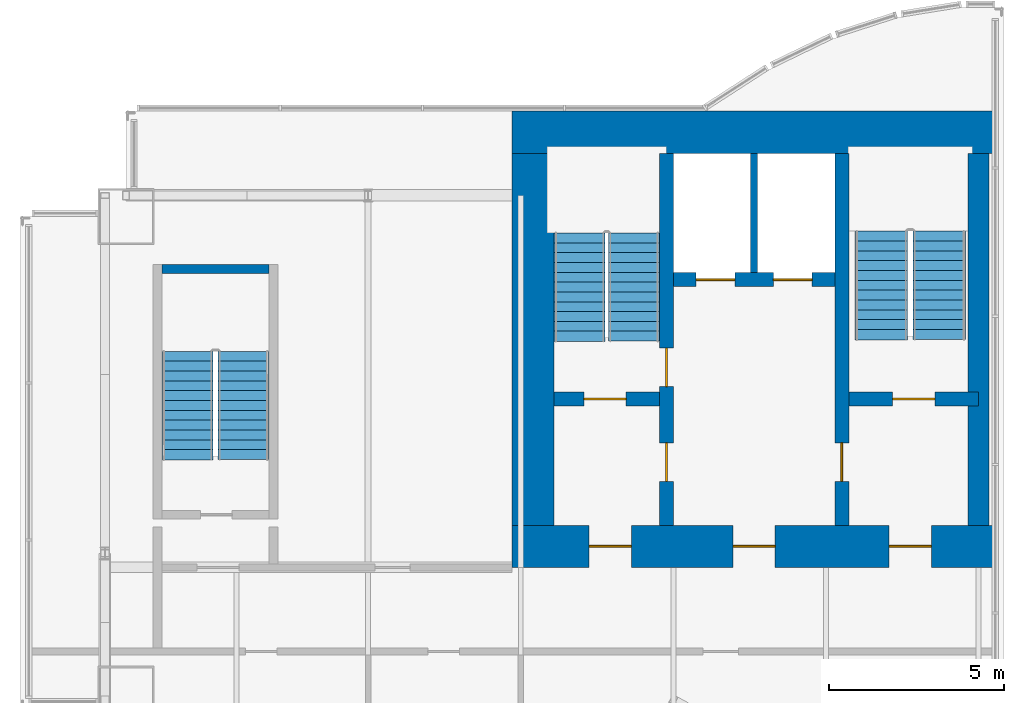
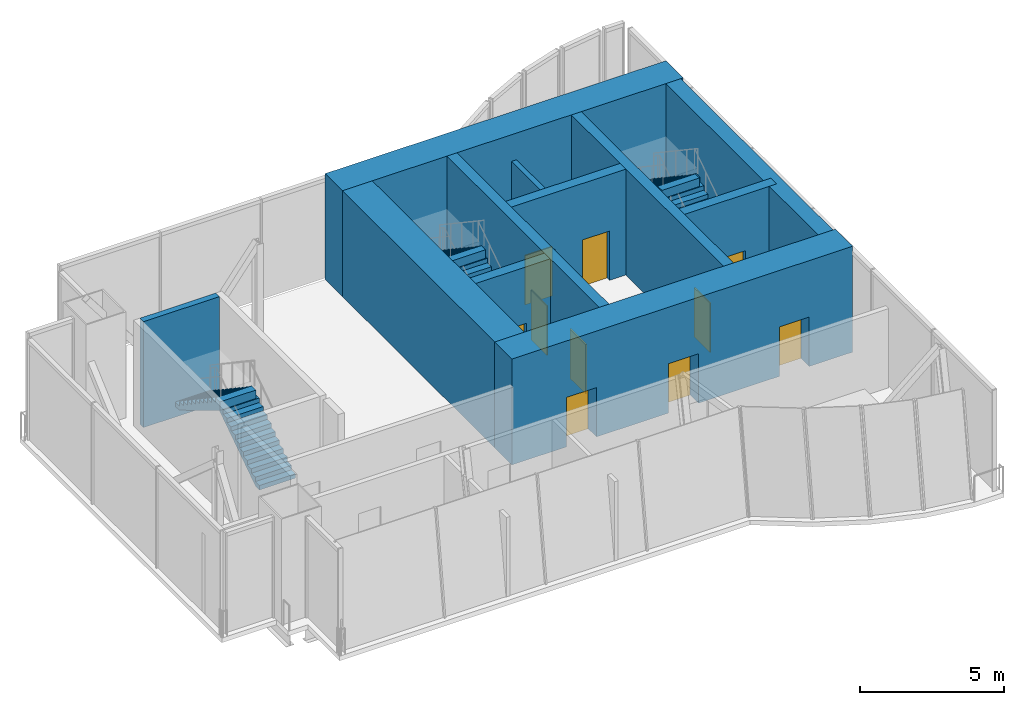
# One storey, part 4 of 6: 11 walls, 10 doors, 6 stair flights, 10 openings, 3 elements without a shape of their own.
"""IFC4 building model written with IfcOpenShell, lengths in metres."""

from ifc_helpers import new_model, si_unit, direction, frame, frame_2d, origin, place, context, subcontext, project, spatial, polyline, rectangle, outline, extrude, material, layer, layer_set, type_object, element, fill, aggregate, save


model = new_model("IFC4")

# Units and contexts
model_context = context("Model", 3, precision=1e-05, world=origin(), true_north=direction((0.0, 1.0)))
body_context = subcontext(model_context, "Body", "Model", "MODEL_VIEW")
ifc_project = project(units=[si_unit("LENGTHUNIT", "METRE"), si_unit("AREAUNIT", "SQUARE_METRE"), si_unit("VOLUMEUNIT", "CUBIC_METRE"), si_unit("PLANEANGLEUNIT", "RADIAN"), si_unit("MASSUNIT", "GRAM", prefix="KILO")], contexts=[model_context])

# Site, building, storey
site_placement = place(None, origin())
site = spatial("IfcSite", under=ifc_project, at=site_placement, CompositionType="ELEMENT")
building_placement = place(site_placement, origin())
building = spatial("IfcBuilding", under=site, at=building_placement, Name="Bicima Exchange Tower", CompositionType="ELEMENT")
storey_placement = place(building_placement, frame((0.0, 0.0, 370.39990234375)))
storey = spatial("IfcBuildingStorey", under=building, at=storey_placement, Name="L83", CompositionType="ELEMENT", Elevation=370.39990234375)

# Walls
ifc_material_1 = material(Name="Gypsum board partition")
ifc_layer_1 = layer(ifc_material_1, 0.199951171875)
ifc_layer_set_1 = layer_set([ifc_layer_1], Name="Gypsum board partition")
wall_type_1 = type_object("IfcWallType", Name="Fire-rated gypsum partition 200 EI120", PredefinedType="PARTITIONING", material=ifc_layer_set_1)
wall_1_placement = place(storey_placement, frame((-15.10009765625, -4.60009765625, 0.0), z_axis=(0.0, 0.0, 1.0), x_axis=(0.0, 1.0, 0.0)))
element("IfcWall", 1, at=wall_1_placement, inside=storey, type_object=wall_type_1, Name="partition wall 5", PredefinedType="PARTITIONING", context=body_context, shape_type="SweptSolid", body=[
    extrude(rectangle(XDim=3.400146484375, YDim=0.199951171875, at=frame_2d((1.7001953125, 0.0))), origin(), (0.0, 0.0, 1.0), 3.368408203125),
])
ifc_material_2 = material(Name="Concrete C40/50", Category="concrete")
ifc_layer_2 = layer(ifc_material_2, 1.199951171875)
ifc_layer_set_2 = layer_set([ifc_layer_2], Name="Concrete C40/50")
wall_type_2 = type_object("IfcWallType", Name="RC core wall 1200 C40/50", PredefinedType="SHEAR", material=ifc_layer_set_2)
wall_2_placement = place(storey_placement, frame((-22.0, -0.60009765625, 0.0), z_axis=(0.0, 0.0, 1.0), x_axis=(1.0, 0.0, 0.0)))
element("IfcWall", 2, at=wall_2_placement, inside=storey, type_object=wall_type_2, Name="Core wall north-W", PredefinedType="SHEAR", context=body_context, shape_type="SweptSolid", body=[
    extrude(rectangle(XDim=13.699951171875, YDim=1.199951171875, at=frame_2d((6.85009765625, 0.0))), origin(), (0.0, 0.0, 1.0), 4.5),
])

# Wall, openings, doors
wall_3_placement = place(storey_placement, frame((-22.0, -12.39990234375, 0.0), z_axis=(0.0, 0.0, 1.0), x_axis=(1.0, 0.0, 0.0)))
wall_3 = element("IfcWall", 3, at=wall_3_placement, inside=storey, type_object=wall_type_2, Name="Core wall south-W", PredefinedType="SHEAR", context=body_context, shape_type="SweptSolid", body=[
    extrude(rectangle(XDim=13.699951171875, YDim=1.199951171875, at=frame_2d((6.85009765625, 0.0))), origin(), (0.0, 0.0, 1.0), 4.5),
])
opening_1_placement = place(wall_3_placement, frame((2.199951171875, 0.0, 0.0)))
opening_1 = element("IfcOpeningElement", 4, at=opening_1_placement, cuts=wall_3, Name="Opening L83-C06", PredefinedType="OPENING", context=body_context, shape_type="SweptSolid", body=[
    extrude(rectangle(XDim=1.199951171875, YDim=2.10009765625, at=frame_2d((0.60009765625, 1.050048828125))), frame((0.0, 0.61181640625, 0.0), z_axis=(0.0, -1.0, 0.0), x_axis=(1.0, 0.0, 0.0)), (0.0, 0.0, 1.0), 1.223876953125),
])
opening_2_placement = place(wall_3_placement, frame((10.75, 0.0, 0.0)))
opening_2 = element("IfcOpeningElement", 5, at=opening_2_placement, cuts=wall_3, Name="Opening L83-C07", PredefinedType="OPENING", context=body_context, shape_type="SweptSolid", body=[
    extrude(rectangle(XDim=1.199951171875, YDim=2.10009765625, at=frame_2d((0.60009765625, 1.050048828125))), frame((0.0, 0.61181640625, 0.0), z_axis=(0.0, -1.0, 0.0), x_axis=(1.0, 0.0, 0.0)), (0.0, 0.0, 1.0), 1.223876953125),
])
opening_3_placement = place(wall_3_placement, frame((6.300048828125, 0.0, 0.0)))
opening_3 = element("IfcOpeningElement", 6, at=opening_3_placement, cuts=wall_3, Name="Opening L83-C08", PredefinedType="OPENING", context=body_context, shape_type="SweptSolid", body=[
    extrude(rectangle(XDim=1.199951171875, YDim=2.10009765625, at=frame_2d((0.60009765625, 1.050048828125))), frame((0.0, 0.61181640625, 0.0), z_axis=(0.0, -1.0, 0.0), x_axis=(1.0, 0.0, 0.0)), (0.0, 0.0, 1.0), 1.223876953125),
])
ifc_material_3 = material(Name="Steel fire door leaf", Category="steel")
door_type_1 = type_object("IfcDoorType", Name="Door 1200 swing FD60S", OperationType="SINGLE_SWING_LEFT", PredefinedType="DOOR", material=ifc_material_3)
door_1_placement = place(opening_1_placement, frame((1.199951171875, 0.0, 0.0), z_axis=(0.0, 0.0, 1.0), x_axis=(-1.0, 0.0, 0.0)))
door_1 = element("IfcDoor", 7, at=door_1_placement, inside=storey, type_object=door_type_1, Name="Core door", OperationType="SINGLE_SWING_RIGHT", OverallHeight=2.10009765625, OverallWidth=1.199951171875, PredefinedType="DOOR", context=body_context, shape_type="SweptSolid", body=[
    extrude(rectangle(XDim=1.199951171875, YDim=2.10009765625, at=frame_2d((0.60009765625, 1.050048828125))), frame((0.0, 0.02490234375, 0.0), z_axis=(0.0, -1.0, 0.0), x_axis=(1.0, 0.0, 0.0)), (0.0, 0.0, 1.0), 0.050048828125),
])
fill(opening_1, door_1)
door_2_placement = place(opening_2_placement, frame((1.199951171875, 0.0, 0.0), z_axis=(0.0, 0.0, 1.0), x_axis=(-1.0, 0.0, 0.0)))
door_2 = element("IfcDoor", 8, at=door_2_placement, inside=storey, type_object=door_type_1, Name="Core door", OperationType="SINGLE_SWING_RIGHT", OverallHeight=2.10009765625, OverallWidth=1.199951171875, PredefinedType="DOOR", context=body_context, shape_type="SweptSolid", body=[
    extrude(rectangle(XDim=1.199951171875, YDim=2.10009765625, at=frame_2d((0.60009765625, 1.050048828125))), frame((0.0, 0.02490234375, 0.0), z_axis=(0.0, -1.0, 0.0), x_axis=(1.0, 0.0, 0.0)), (0.0, 0.0, 1.0), 0.050048828125),
])
fill(opening_2, door_2)
door_3_placement = place(opening_3_placement, frame((1.199951171875, 0.0, 0.0), z_axis=(0.0, 0.0, 1.0), x_axis=(-1.0, 0.0, 0.0)))
door_3 = element("IfcDoor", 9, at=door_3_placement, inside=storey, type_object=door_type_1, Name="Core door", OperationType="SINGLE_SWING_RIGHT", OverallHeight=2.10009765625, OverallWidth=1.199951171875, PredefinedType="DOOR", context=body_context, shape_type="SweptSolid", body=[
    extrude(rectangle(XDim=1.199951171875, YDim=2.10009765625, at=frame_2d((0.60009765625, 1.050048828125))), frame((0.0, 0.02490234375, 0.0), z_axis=(0.0, -1.0, 0.0), x_axis=(1.0, 0.0, 0.0)), (0.0, 0.0, 1.0), 0.050048828125),
])
fill(opening_3, door_3)

# Wall
wall_4_placement = place(storey_placement, frame((-21.39990234375, -11.800048828125, 0.0), z_axis=(0.0, 0.0, 1.0), x_axis=(0.0, 1.0, 0.0)))
element("IfcWall", 10, at=wall_4_placement, inside=storey, type_object=wall_type_2, Name="Core wall outer-W", PredefinedType="SHEAR", context=body_context, shape_type="SweptSolid", body=[
    extrude(rectangle(XDim=10.60009765625, YDim=1.199951171875, at=frame_2d((5.300048828125, 0.0))), origin(), (0.0, 0.0, 1.0), 4.5),
])

# Wall, openings, doors
ifc_layer_3 = layer(ifc_material_2, 0.39990234375)
ifc_layer_set_3 = layer_set([ifc_layer_3], Name="Concrete C40/50")
wall_type_3 = type_object("IfcWallType", Name="RC core wall 400 C40/50", PredefinedType="SHEAR", material=ifc_layer_set_3)
wall_5_placement = place(storey_placement, frame((-17.39990234375, -4.800048828125, 0.0), z_axis=(0.0, 0.0, 1.0), x_axis=(1.0, 0.0, 0.0)))
wall_5 = element("IfcWall", 11, at=wall_5_placement, inside=storey, type_object=wall_type_3, Name="shear wall 3", PredefinedType="SHEAR", context=body_context, shape_type="SweptSolid", body=[
    extrude(rectangle(XDim=4.599853515625, YDim=0.39990234375, at=frame_2d((2.2998046875, 0.0))), origin(), (0.0, 0.0, 1.0), 4.5),
])
opening_4_placement = place(wall_5_placement, frame((0.64990234375, 0.0, 0.0)))
opening_4 = element("IfcOpeningElement", 12, at=opening_4_placement, cuts=wall_5, Name="Opening LD-FF1-L83", PredefinedType="OPENING", context=body_context, shape_type="SweptSolid", body=[
    extrude(rectangle(XDim=1.10009765625, YDim=2.10009765625, at=frame_2d((0.550048828125, 1.050048828125))), frame((0.0, 0.2119140625, 0.0), z_axis=(0.0, -1.0, 0.0), x_axis=(1.0, 0.0, 0.0)), (0.0, 0.0, 1.0), 0.423828125),
])
opening_5_placement = place(wall_5_placement, frame((2.85009765625, 0.0, 0.0)))
opening_5 = element("IfcOpeningElement", 13, at=opening_5_placement, cuts=wall_5, Name="Opening LD-FF3-L83", PredefinedType="OPENING", context=body_context, shape_type="SweptSolid", body=[
    extrude(rectangle(XDim=1.10009765625, YDim=2.10009765625, at=frame_2d((0.550048828125, 1.050048828125))), frame((0.0, 0.2119140625, 0.0), z_axis=(0.0, -1.0, 0.0), x_axis=(1.0, 0.0, 0.0)), (0.0, 0.0, 1.0), 0.423828125),
])
ifc_material_4 = material(Name="Stainless steel", Category="steel")
door_type_2 = type_object("IfcDoorType", Name="Lift landing door 1100 sliding", OperationType="DOUBLE_DOOR_SLIDING", PredefinedType="DOOR", material=ifc_material_4)
door_4_placement = place(opening_4_placement, origin())
door_4 = element("IfcDoor", 14, at=door_4_placement, inside=storey, type_object=door_type_2, Name="Lift landing door FF1", OperationType="DOUBLE_DOOR_SLIDING", OverallHeight=2.10009765625, OverallWidth=1.10009765625, PredefinedType="DOOR", context=body_context, shape_type="SweptSolid", body=[
    extrude(rectangle(XDim=1.10009765625, YDim=2.10009765625, at=frame_2d((0.550048828125, 1.050048828125))), frame((0.0, 0.02490234375, 0.0), z_axis=(0.0, -1.0, 0.0), x_axis=(1.0, 0.0, 0.0)), (0.0, 0.0, 1.0), 0.050048828125),
])
fill(opening_4, door_4)
door_5_placement = place(opening_5_placement, origin())
door_5 = element("IfcDoor", 15, at=door_5_placement, inside=storey, type_object=door_type_2, Name="Lift landing door FF3", OperationType="DOUBLE_DOOR_SLIDING", OverallHeight=2.10009765625, OverallWidth=1.10009765625, PredefinedType="DOOR", context=body_context, shape_type="SweptSolid", body=[
    extrude(rectangle(XDim=1.10009765625, YDim=2.10009765625, at=frame_2d((0.550048828125, 1.050048828125))), frame((0.0, 0.02490234375, 0.0), z_axis=(0.0, -1.0, 0.0), x_axis=(1.0, 0.0, 0.0)), (0.0, 0.0, 1.0), 0.050048828125),
])
fill(opening_5, door_5)

# Wall, opening, door
ifc_material_5 = material(Name="Concrete C50/60", Category="concrete")
ifc_layer_4 = layer(ifc_material_5, 0.39990234375)
ifc_layer_set_4 = layer_set([ifc_layer_4], Name="Concrete C50/60")
wall_type_4 = type_object("IfcWallType", Name="RC core wall 400 C50/60", PredefinedType="SHEAR", material=ifc_layer_set_4)
wall_6_placement = place(storey_placement, frame((-20.800048828125, -8.199951171875, 0.0), z_axis=(0.0, 0.0, 1.0), x_axis=(1.0, 0.0, 0.0)))
wall_6 = element("IfcWall", 16, at=wall_6_placement, inside=storey, type_object=wall_type_4, Name="stair wall 1", PredefinedType="SHEAR", context=body_context, shape_type="SweptSolid", body=[
    extrude(rectangle(XDim=3.0, YDim=0.39990234375, at=frame_2d((1.5, 0.0))), origin(), (0.0, 0.0, 1.0), 4.5),
])
opening_6_placement = place(wall_6_placement, frame((0.85009765625, 0.0, 0.0)))
opening_6 = element("IfcOpeningElement", 17, at=opening_6_placement, cuts=wall_6, Name="Opening L83-C01", PredefinedType="OPENING", context=body_context, shape_type="SweptSolid", body=[
    extrude(rectangle(XDim=1.199951171875, YDim=2.10009765625, at=frame_2d((0.60009765625, 1.050048828125))), frame((0.0, 0.2119140625, 0.0), z_axis=(0.0, -1.0, 0.0), x_axis=(1.0, 0.0, 0.0)), (0.0, 0.0, 1.0), 0.423828125),
])
door_6_placement = place(opening_6_placement, origin())
door_6 = element("IfcDoor", 18, at=door_6_placement, inside=storey, type_object=door_type_1, Name="Core door", OperationType="SINGLE_SWING_LEFT", OverallHeight=2.10009765625, OverallWidth=1.199951171875, PredefinedType="DOOR", context=body_context, shape_type="SweptSolid", body=[
    extrude(rectangle(XDim=1.199951171875, YDim=2.10009765625, at=frame_2d((0.60009765625, 1.050048828125))), frame((0.0, 0.02490234375, 0.0), z_axis=(0.0, -1.0, 0.0), x_axis=(1.0, 0.0, 0.0)), (0.0, 0.0, 1.0), 0.050048828125),
])
fill(opening_6, door_6)

wall_7_placement = place(storey_placement, frame((-12.39990234375, -8.199951171875, 0.0), z_axis=(0.0, 0.0, 1.0), x_axis=(1.0, 0.0, 0.0)))
wall_7 = element("IfcWall", 19, at=wall_7_placement, inside=storey, type_object=wall_type_4, Name="stair wall 2", PredefinedType="SHEAR", context=body_context, shape_type="SweptSolid", body=[
    extrude(rectangle(XDim=3.699951171875, YDim=0.39990234375, at=frame_2d((1.85009765625, 0.0))), origin(), (0.0, 0.0, 1.0), 4.5),
])
opening_7_placement = place(wall_7_placement, frame((1.25, 0.0, 0.0)))
opening_7 = element("IfcOpeningElement", 20, at=opening_7_placement, cuts=wall_7, Name="Opening L83-C03", PredefinedType="OPENING", context=body_context, shape_type="SweptSolid", body=[
    extrude(rectangle(XDim=1.199951171875, YDim=2.10009765625, at=frame_2d((0.60009765625, 1.050048828125))), frame((0.0, 0.2119140625, 0.0), z_axis=(0.0, -1.0, 0.0), x_axis=(1.0, 0.0, 0.0)), (0.0, 0.0, 1.0), 0.423828125),
])
door_7_placement = place(opening_7_placement, origin())
door_7 = element("IfcDoor", 21, at=door_7_placement, inside=storey, type_object=door_type_1, Name="Core door", OperationType="SINGLE_SWING_LEFT", OverallHeight=2.10009765625, OverallWidth=1.199951171875, PredefinedType="DOOR", context=body_context, shape_type="SweptSolid", body=[
    extrude(rectangle(XDim=1.199951171875, YDim=2.10009765625, at=frame_2d((0.60009765625, 1.050048828125))), frame((0.0, 0.02490234375, 0.0), z_axis=(0.0, -1.0, 0.0), x_axis=(1.0, 0.0, 0.0)), (0.0, 0.0, 1.0), 0.050048828125),
])
fill(opening_7, door_7)

# Wall, openings, doors
wall_8_placement = place(storey_placement, frame((-17.60009765625, -11.800048828125, 0.0), z_axis=(0.0, 0.0, 1.0), x_axis=(0.0, 1.0, 0.0)))
wall_8 = element("IfcWall", 22, at=wall_8_placement, inside=storey, type_object=wall_type_4, Name="stair wall 4", PredefinedType="SHEAR", context=body_context, shape_type="SweptSolid", body=[
    extrude(rectangle(XDim=10.60009765625, YDim=0.39990234375, at=frame_2d((5.300048828125, 0.0))), origin(), (0.0, 0.0, 1.0), 4.5),
])
opening_8_placement = place(wall_8_placement, frame((1.25, 0.0, 0.0)))
opening_8 = element("IfcOpeningElement", 23, at=opening_8_placement, cuts=wall_8, Name="Opening L83-C02", PredefinedType="OPENING", context=body_context, shape_type="SweptSolid", body=[
    extrude(rectangle(XDim=1.10009765625, YDim=2.10009765625, at=frame_2d((0.550048828125, 1.050048828125))), frame((0.0, 0.2119140625, 0.0), z_axis=(0.0, -1.0, 0.0), x_axis=(1.0, 0.0, 0.0)), (0.0, 0.0, 1.0), 0.423828125),
])
opening_9_placement = place(wall_8_placement, frame((3.949951171875, 0.0, 0.0)))
opening_9 = element("IfcOpeningElement", 24, at=opening_9_placement, cuts=wall_8, Name="Opening L83-C05", PredefinedType="OPENING", context=body_context, shape_type="SweptSolid", body=[
    extrude(rectangle(XDim=1.10009765625, YDim=2.10009765625, at=frame_2d((0.550048828125, 1.050048828125))), frame((0.0, 0.2119140625, 0.0), z_axis=(0.0, -1.0, 0.0), x_axis=(1.0, 0.0, 0.0)), (0.0, 0.0, 1.0), 0.423828125),
])
door_type_3 = type_object("IfcDoorType", Name="Door 1100 swing FD60S", OperationType="SINGLE_SWING_LEFT", PredefinedType="DOOR", material=ifc_material_3)
door_8_placement = place(opening_8_placement, frame((1.10009765625, 0.0, 0.0), z_axis=(0.0, 0.0, 1.0), x_axis=(-1.0, 0.0, 0.0)))
door_8 = element("IfcDoor", 25, at=door_8_placement, inside=storey, type_object=door_type_3, Name="Core door", OperationType="SINGLE_SWING_LEFT", OverallHeight=2.10009765625, OverallWidth=1.10009765625, PredefinedType="DOOR", context=body_context, shape_type="SweptSolid", body=[
    extrude(rectangle(XDim=1.10009765625, YDim=2.10009765625, at=frame_2d((0.550048828125, 1.050048828125))), frame((0.0, 0.02490234375, 0.0), z_axis=(0.0, -1.0, 0.0), x_axis=(1.0, 0.0, 0.0)), (0.0, 0.0, 1.0), 0.050048828125),
])
fill(opening_8, door_8)
door_9_placement = place(opening_9_placement, frame((1.10009765625, 0.0, 0.0), z_axis=(0.0, 0.0, 1.0), x_axis=(-1.0, 0.0, 0.0)))
door_9 = element("IfcDoor", 26, at=door_9_placement, inside=storey, type_object=door_type_3, Name="Core door", OperationType="SINGLE_SWING_RIGHT", OverallHeight=2.10009765625, OverallWidth=1.10009765625, PredefinedType="DOOR", context=body_context, shape_type="SweptSolid", body=[
    extrude(rectangle(XDim=1.10009765625, YDim=2.10009765625, at=frame_2d((0.550048828125, 1.050048828125))), frame((0.0, 0.02490234375, 0.0), z_axis=(0.0, -1.0, 0.0), x_axis=(1.0, 0.0, 0.0)), (0.0, 0.0, 1.0), 0.050048828125),
])
fill(opening_9, door_9)

# Wall, opening, door
wall_9_placement = place(storey_placement, frame((-12.60009765625, -11.800048828125, 0.0), z_axis=(0.0, 0.0, 1.0), x_axis=(0.0, 1.0, 0.0)))
wall_9 = element("IfcWall", 27, at=wall_9_placement, inside=storey, type_object=wall_type_4, Name="stair wall 6", PredefinedType="SHEAR", context=body_context, shape_type="SweptSolid", body=[
    extrude(rectangle(XDim=10.60009765625, YDim=0.39990234375, at=frame_2d((5.300048828125, 0.0))), origin(), (0.0, 0.0, 1.0), 4.5),
])
opening_10_placement = place(wall_9_placement, frame((1.25, 0.0, 0.0)))
opening_10 = element("IfcOpeningElement", 28, at=opening_10_placement, cuts=wall_9, Name="Opening L83-C04", PredefinedType="OPENING", context=body_context, shape_type="SweptSolid", body=[
    extrude(rectangle(XDim=1.10009765625, YDim=2.10009765625, at=frame_2d((0.550048828125, 1.050048828125))), frame((0.0, 0.2119140625, 0.0), z_axis=(0.0, -1.0, 0.0), x_axis=(1.0, 0.0, 0.0)), (0.0, 0.0, 1.0), 0.423828125),
])
door_10_placement = place(opening_10_placement, origin())
door_10 = element("IfcDoor", 29, at=door_10_placement, inside=storey, type_object=door_type_3, Name="Core door", OperationType="SINGLE_SWING_RIGHT", OverallHeight=2.10009765625, OverallWidth=1.10009765625, PredefinedType="DOOR", context=body_context, shape_type="SweptSolid", body=[
    extrude(rectangle(XDim=1.10009765625, YDim=2.10009765625, at=frame_2d((0.550048828125, 1.050048828125))), frame((0.0, 0.02490234375, 0.0), z_axis=(0.0, -1.0, 0.0), x_axis=(1.0, 0.0, 0.0)), (0.0, 0.0, 1.0), 0.050048828125),
])
fill(opening_10, door_10)

# Walls
ifc_layer_5 = layer(ifc_material_2, 0.60009765625)
ifc_layer_set_5 = layer_set([ifc_layer_5], Name="Concrete C40/50")
wall_type_5 = type_object("IfcWallType", Name="RC core wall 600 C40/50", PredefinedType="SHEAR", material=ifc_layer_set_5)
wall_10_placement = place(storey_placement, frame((-8.699951171875, -11.800048828125, 0.0), z_axis=(0.0, 0.0, 1.0), x_axis=(0.0, 1.0, 0.0)))
element("IfcWall", 30, at=wall_10_placement, inside=storey, type_object=wall_type_5, Name="Core wall close-W", PredefinedType="SHEAR", context=body_context, shape_type="SweptSolid", body=[
    extrude(rectangle(XDim=10.60009765625, YDim=0.60009765625, at=frame_2d((5.300048828125, 0.0))), origin(), (0.0, 0.0, 1.0), 4.5),
])
ifc_layer_6 = layer(ifc_material_5, 0.25)
ifc_layer_set_6 = layer_set([ifc_layer_6], Name="Concrete C50/60")
wall_type_6 = type_object("IfcWallType", Name="RC stair enclosure wall 250 C50/60", PredefinedType="SHEAR", material=ifc_layer_set_6)
wall_11_placement = place(storey_placement, frame((-31.97509765625, -4.5, 0.0), z_axis=(0.0, 0.0, 1.0), x_axis=(1.0, 0.0, 0.0)))
element("IfcWall", 31, at=wall_11_placement, inside=storey, type_object=wall_type_6, Name="West end exit stair wall N", PredefinedType="SHEAR", context=body_context, shape_type="SweptSolid", body=[
    extrude(rectangle(XDim=3.050048828125, YDim=0.25, at=frame_2d((1.52490234375, 0.0))), origin(), (0.0, 0.0, 1.0), 4.5),
])

# Stair, stair flights
stair_type_1 = type_object("IfcStairType", Name="Exit stair", PredefinedType="HALF_TURN_STAIR", material=ifc_material_5)
stair_1_placement = place(storey_placement, origin())
stair_1 = element("IfcStair", 32, at=stair_1_placement, inside=storey, type_object=stair_type_1, Name="L83 West exit stair", PredefinedType="HALF_TURN_STAIR")
stair_flight_type_1 = type_object("IfcStairFlightType", Name="Stair flight RC", PredefinedType="STRAIGHT", material=ifc_material_5)
stair_flight_1_placement = place(storey_placement, frame((-18.52490234375, -6.550048828125, 0.0), z_axis=(0.0, 0.0, 1.0), x_axis=(0.0, 1.0, 0.0)))
stair_flight_1 = element("IfcStairFlight", 33, at=stair_flight_1_placement, type_object=stair_flight_type_1, Name="ST-W flight 1", NumberOfRisers=12, NumberOfTreads=11, PredefinedType="STRAIGHT", RiserHeight=0.1875, TreadLength=0.28, context=body_context, shape_type="SweptSolid", body=[
    extrude(outline(polyline([(0.0, 0.0), (0.0, 0.1875), (0.280029296875, 0.1875), (0.280029296875, 0.375), (0.56005859375, 0.375), (0.56005859375, 0.5625), (0.840087890625, 0.5625), (0.840087890625, 0.75), (1.1201171875, 0.75), (1.1201171875, 0.9375), (1.39990234375, 0.9375), (1.39990234375, 1.125), (1.679931640625, 1.125), (1.679931640625, 1.3125), (1.9599609375, 1.3125), (1.9599609375, 1.5), (2.239990234375, 1.5), (2.239990234375, 1.6875), (2.52001953125, 1.6875), (2.52001953125, 1.875), (2.800048828125, 1.875), (2.800048828125, 2.0625), (3.080078125, 2.0625), (3.080078125, 2.25), (3.080078125, 1.882080078125), (0.26953125, 0.0), (0.0, 0.0)])), frame((0.0, 0.72509765625, 0.0), z_axis=(0.0, -1.0, 0.0), x_axis=(1.0, 0.0, 0.0)), (0.0, 0.0, 1.0), 1.449951171875),
])
stair_flight_2_placement = place(storey_placement, frame((-20.074951171875, -3.469970703125, 2.25), z_axis=(0.0, 0.0, 1.0), x_axis=(0.0, -1.0, 0.0)))
stair_flight_2 = element("IfcStairFlight", 34, at=stair_flight_2_placement, type_object=stair_flight_type_1, Name="ST-W flight 2", NumberOfRisers=12, NumberOfTreads=11, PredefinedType="STRAIGHT", RiserHeight=0.1875, TreadLength=0.28, context=body_context, shape_type="SweptSolid", body=[
    extrude(outline(polyline([(0.0, 0.0), (0.0, 0.1875), (0.280029296875, 0.1875), (0.280029296875, 0.375), (0.56005859375, 0.375), (0.56005859375, 0.5625), (0.840087890625, 0.5625), (0.840087890625, 0.75), (1.1201171875, 0.75), (1.1201171875, 0.9375), (1.39990234375, 0.9375), (1.39990234375, 1.125), (1.679931640625, 1.125), (1.679931640625, 1.3125), (1.9599609375, 1.3125), (1.9599609375, 1.5), (2.239990234375, 1.5), (2.239990234375, 1.6875), (2.52001953125, 1.6875), (2.52001953125, 1.875), (2.800048828125, 1.875), (2.800048828125, 2.0625), (3.080078125, 2.0625), (3.094970703125, 2.0625), (3.094970703125, 1.70458984375), (0.26953125, 0.0), (0.0, 0.0)])), frame((0.0, 0.72509765625, 0.0), z_axis=(0.0, -1.0, 0.0), x_axis=(1.0, 0.0, 0.0)), (0.0, 0.0, 1.0), 1.449951171875),
])
aggregate(stair_1, [stair_flight_1, stair_flight_2])

stair_2_placement = place(storey_placement, origin())
stair_2 = element("IfcStair", 35, at=stair_2_placement, inside=storey, type_object=stair_type_1, Name="L83 West end exit stair", PredefinedType="HALF_TURN_STAIR")
stair_flight_3_placement = place(storey_placement, frame((-29.64990234375, -9.925048828125, 0.0), z_axis=(0.0, 0.0, 1.0), x_axis=(0.0, 1.0, 0.0)))
stair_flight_3 = element("IfcStairFlight", 36, at=stair_flight_3_placement, type_object=stair_flight_type_1, Name="ST-WW flight 1", NumberOfRisers=12, NumberOfTreads=11, PredefinedType="STRAIGHT", RiserHeight=0.1875, TreadLength=0.28, context=body_context, shape_type="SweptSolid", body=[
    extrude(outline(polyline([(0.0, 0.0), (0.0, 0.1875), (0.280029296875, 0.1875), (0.280029296875, 0.375), (0.56005859375, 0.375), (0.56005859375, 0.5625), (0.840087890625, 0.5625), (0.840087890625, 0.75), (1.1201171875, 0.75), (1.1201171875, 0.9375), (1.39990234375, 0.9375), (1.39990234375, 1.125), (1.679931640625, 1.125), (1.679931640625, 1.3125), (1.9599609375, 1.3125), (1.9599609375, 1.5), (2.239990234375, 1.5), (2.239990234375, 1.6875), (2.52001953125, 1.6875), (2.52001953125, 1.875), (2.800048828125, 1.875), (2.800048828125, 2.0625), (3.080078125, 2.0625), (3.080078125, 2.25), (3.080078125, 1.882080078125), (0.26953125, 0.0), (0.0, 0.0)])), frame((0.0, 0.72509765625, 0.0), z_axis=(0.0, -1.0, 0.0), x_axis=(1.0, 0.0, 0.0)), (0.0, 0.0, 1.0), 1.449951171875),
])
stair_flight_4_placement = place(storey_placement, frame((-31.25, -6.844970703125, 2.25), z_axis=(0.0, 0.0, 1.0), x_axis=(0.0, -1.0, 0.0)))
stair_flight_4 = element("IfcStairFlight", 37, at=stair_flight_4_placement, type_object=stair_flight_type_1, Name="ST-WW flight 2", NumberOfRisers=12, NumberOfTreads=11, PredefinedType="STRAIGHT", RiserHeight=0.1875, TreadLength=0.28, context=body_context, shape_type="SweptSolid", body=[
    extrude(outline(polyline([(0.0, 0.0), (0.0, 0.1875), (0.280029296875, 0.1875), (0.280029296875, 0.375), (0.56005859375, 0.375), (0.56005859375, 0.5625), (0.840087890625, 0.5625), (0.840087890625, 0.75), (1.1201171875, 0.75), (1.1201171875, 0.9375), (1.39990234375, 0.9375), (1.39990234375, 1.125), (1.679931640625, 1.125), (1.679931640625, 1.3125), (1.9599609375, 1.3125), (1.9599609375, 1.5), (2.239990234375, 1.5), (2.239990234375, 1.6875), (2.52001953125, 1.6875), (2.52001953125, 1.875), (2.800048828125, 1.875), (2.800048828125, 2.0625), (3.080078125, 2.0625), (3.094970703125, 2.0625), (3.094970703125, 1.70458984375), (0.26953125, 0.0), (0.0, 0.0)])), frame((0.0, 0.72509765625, 0.0), z_axis=(0.0, -1.0, 0.0), x_axis=(1.0, 0.0, 0.0)), (0.0, 0.0, 1.0), 1.449951171875),
])
aggregate(stair_2, [stair_flight_3, stair_flight_4])

stair_type_2 = type_object("IfcStairType", Name="Exit stair 1500", PredefinedType="HALF_TURN_STAIR", material=ifc_material_5)
stair_3_placement = place(storey_placement, origin())
stair_3 = element("IfcStair", 38, at=stair_3_placement, inside=storey, type_object=stair_type_2, Name="L83 Crown exit stair", PredefinedType="HALF_TURN_STAIR")
stair_flight_type_2 = type_object("IfcStairFlightType", Name="Stair flight RC 1500", PredefinedType="STRAIGHT", material=ifc_material_5)
stair_flight_5_placement = place(storey_placement, frame((-9.824951171875, -6.5, 0.0), z_axis=(0.0, 0.0, 1.0), x_axis=(0.0, 1.0, 0.0)))
stair_flight_5 = element("IfcStairFlight", 39, at=stair_flight_5_placement, type_object=stair_flight_type_2, Name="ST-CR flight 1", NumberOfRisers=12, NumberOfTreads=11, PredefinedType="STRAIGHT", RiserHeight=0.1875, TreadLength=0.28, context=body_context, shape_type="SweptSolid", body=[
    extrude(outline(polyline([(0.0, 0.0), (0.0, 0.1875), (0.280029296875, 0.1875), (0.280029296875, 0.375), (0.56005859375, 0.375), (0.56005859375, 0.5625), (0.840087890625, 0.5625), (0.840087890625, 0.75), (1.1201171875, 0.75), (1.1201171875, 0.9375), (1.39990234375, 0.9375), (1.39990234375, 1.125), (1.679931640625, 1.125), (1.679931640625, 1.3125), (1.9599609375, 1.3125), (1.9599609375, 1.5), (2.239990234375, 1.5), (2.239990234375, 1.6875), (2.52001953125, 1.6875), (2.52001953125, 1.875), (2.800048828125, 1.875), (2.800048828125, 2.0625), (3.080078125, 2.0625), (3.080078125, 2.25), (3.080078125, 1.882080078125), (0.26953125, 0.0), (0.0, 0.0)])), frame((0.0, 0.75, 0.0), z_axis=(0.0, -1.0, 0.0), x_axis=(1.0, 0.0, 0.0)), (0.0, 0.0, 1.0), 1.5),
])
stair_flight_6_placement = place(storey_placement, frame((-11.47509765625, -3.419921875, 2.25), z_axis=(0.0, 0.0, 1.0), x_axis=(0.0, -1.0, 0.0)))
stair_flight_6 = element("IfcStairFlight", 40, at=stair_flight_6_placement, type_object=stair_flight_type_2, Name="ST-CR flight 2", NumberOfRisers=12, NumberOfTreads=11, PredefinedType="STRAIGHT", RiserHeight=0.1875, TreadLength=0.28, context=body_context, shape_type="SweptSolid", body=[
    extrude(outline(polyline([(0.0, 0.0), (0.0, 0.1875), (0.280029296875, 0.1875), (0.280029296875, 0.375), (0.56005859375, 0.375), (0.56005859375, 0.5625), (0.840087890625, 0.5625), (0.840087890625, 0.75), (1.1201171875, 0.75), (1.1201171875, 0.9375), (1.39990234375, 0.9375), (1.39990234375, 1.125), (1.679931640625, 1.125), (1.679931640625, 1.3125), (1.9599609375, 1.3125), (1.9599609375, 1.5), (2.239990234375, 1.5), (2.239990234375, 1.6875), (2.52001953125, 1.6875), (2.52001953125, 1.875), (2.800048828125, 1.875), (2.800048828125, 2.0625), (3.080078125, 2.0625), (3.094970703125, 2.0625), (3.094970703125, 1.70458984375), (0.26953125, 0.0), (0.0, 0.0)])), frame((0.0, 0.75, 0.0), z_axis=(0.0, -1.0, 0.0), x_axis=(1.0, 0.0, 0.0)), (0.0, 0.0, 1.0), 1.5),
])
aggregate(stair_3, [stair_flight_5, stair_flight_6])

save(model, "model.ifc")
